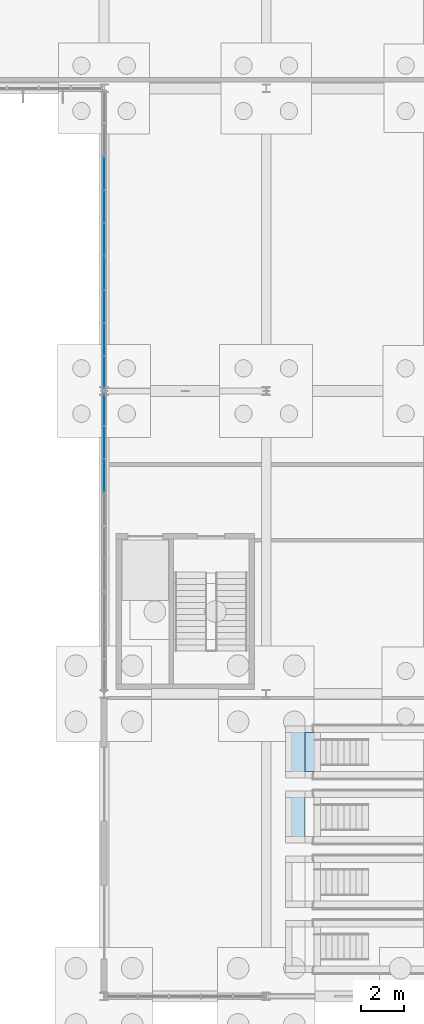
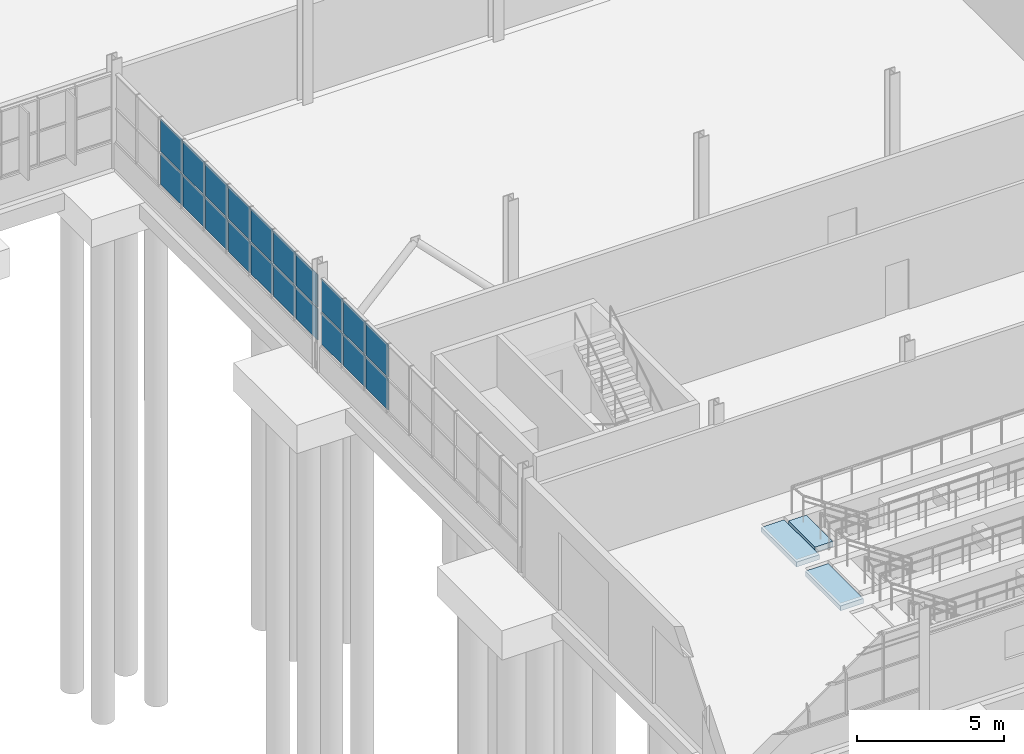
# One storey, part 85 of 136: 20 plates, 3 slabs, 2 elements without a shape of their own.
"""IFC4 building model written with IfcOpenShell, lengths in metres."""

import ifcopenshell
import ifcopenshell.guid

model = None  # the IFC model being written
_history = None  # IfcOwnerHistory: only IFC2X3 demands one
_inside = {}  # id of a spatial element -> (the spatial element, [elements in it])
_under = {}  # id of a project, library or spatial element -> (it, [spatial elements below it])
_declared = {}  # id of a project -> (the project, [libraries it declares])
_typed = {}  # id of a type object -> (the type object, [elements of that type])
_made_of = {}  # id of a material, layer set ... -> (it, [elements and type objects made of it])


def new_model(schema):
    """Start an empty IFC model of exactly this schema.

    Asked for "IFC4X3", IfcOpenShell would pick the latest addendum, in which some entities
    have other attributes; the version numbers below select the first issue.
    IFC2X3 requires an IfcOwnerHistory on every rooted entity: one is made here for all.
    """
    global model, _history
    if schema == "IFC4X3":
        model = ifcopenshell.file(schema_version=(4, 3, 0, 0))
    else:
        model = ifcopenshell.file(schema=schema)
    _inside.clear()
    _under.clear()
    _declared.clear()
    _typed.clear()
    _made_of.clear()
    _history = None
    if model.schema == "IFC2X3":
        org = make("IfcOrganization", Name="unknown")
        user = make(
            "IfcPersonAndOrganization",
            ThePerson=make("IfcPerson", FamilyName="unknown"),
            TheOrganization=org,
        )
        app = make(
            "IfcApplication",
            ApplicationDeveloper=org,
            Version="unknown",
            ApplicationFullName="unknown",
            ApplicationIdentifier="unknown",
        )
        _history = make(
            "IfcOwnerHistory",
            OwningUser=user,
            OwningApplication=app,
            ChangeAction="ADDED",
            CreationDate=0,
        )
    return model


def make(cls, **values):
    """One entity of the class cls with the attributes given. An attribute that is None is left unset."""
    return model.create_entity(
        cls, **{name: value for name, value in values.items() if value is not None}
    )


def rooted(cls, **values):
    """An entity with a GlobalId (a new one), such as an element, a storey or a relation."""
    return make(cls, GlobalId=ifcopenshell.guid.new(), OwnerHistory=_history, **values)


def si_unit(unit_type, name, prefix=None):
    """IfcSIUnit, for example si_unit("LENGTHUNIT", "METRE", prefix="MILLI")."""
    return make("IfcSIUnit", UnitType=unit_type, Prefix=prefix, Name=name)


def assignment(units):
    """IfcUnitAssignment: the units of a project."""
    return None if units is None else make("IfcUnitAssignment", Units=units)


def point(xyz):
    """IfcCartesianPoint."""
    return None if xyz is None else make("IfcCartesianPoint", Coordinates=xyz)


def direction(xyz):
    """IfcDirection."""
    return None if xyz is None else make("IfcDirection", DirectionRatios=xyz)


def frame(location, z_axis=None, x_axis=None):
    """IfcAxis2Placement3D, a coordinate frame: its origin and axes. An axis left out is left unset."""
    return make(
        "IfcAxis2Placement3D",
        Location=point(location),
        Axis=direction(z_axis),
        RefDirection=direction(x_axis),
    )


def frame_2d(location, x_axis=None):
    """IfcAxis2Placement2D, a coordinate frame in the plane: its origin and x axis."""
    return make(
        "IfcAxis2Placement2D", Location=point(location), RefDirection=direction(x_axis)
    )


def origin():
    """The frame at (0, 0, 0) with its axes left unset."""
    return frame((0.0, 0.0, 0.0))


def origin_2d():
    """The frame at (0, 0) in the plane with its x axis left unset."""
    return frame_2d((0.0, 0.0))


def place(relative_to, where):
    """IfcLocalPlacement: puts the frame where relative to a parent placement (None: the world)."""
    return make(
        "IfcLocalPlacement", PlacementRelTo=relative_to, RelativePlacement=where
    )


def context(
    kind, dimensions, precision=None, world=None, true_north=None, identifier=None
):
    """IfcGeometricRepresentationContext, for example the 3D "Model" context."""
    return make(
        "IfcGeometricRepresentationContext",
        ContextIdentifier=identifier,
        ContextType=kind,
        CoordinateSpaceDimension=dimensions,
        Precision=precision,
        WorldCoordinateSystem=world,
        TrueNorth=true_north,
    )


def subcontext(parent, identifier, kind, view, scale=None):
    """IfcGeometricRepresentationSubContext, for example "Body" below "Model"."""
    return make(
        "IfcGeometricRepresentationSubContext",
        ContextIdentifier=identifier,
        ContextType=kind,
        ParentContext=parent,
        TargetScale=scale,
        TargetView=view,
    )


def project(units=None, contexts=None):
    """IfcProject with its units and contexts."""
    return rooted(
        "IfcProject",
        Name="project",
        RepresentationContexts=contexts,
        UnitsInContext=assignment(units),
    )


def spatial(cls, under=None, at=None, **own):
    """A site, building, storey or space (cls), placed at a placement, below another one or the project."""
    s = rooted(cls, ObjectPlacement=at, **own)
    if under is not None:
        _under.setdefault(under.id(), (under, []))[1].append(s)
    return s


def polyline(points):
    """IfcPolyline through the points."""
    return make("IfcPolyline", Points=[point(p) for p in points])


def profile(cls, at=None, kind="AREA", **sizes):
    """A parametric profile (cls). Its sizes go by their IFC names, for example OverallWidth=200.0."""
    return make(cls, ProfileType=kind, Position=at, **sizes)


def rectangle(**sizes):
    """IfcRectangleProfileDef."""
    return profile("IfcRectangleProfileDef", **sizes)


def outline(outer, holes=None, kind="AREA"):
    """IfcArbitraryClosedProfileDef: a profile drawn as a closed curve; with holes, ...WithVoids."""
    if holes is None:
        return make("IfcArbitraryClosedProfileDef", ProfileType=kind, OuterCurve=outer)
    return make(
        "IfcArbitraryProfileDefWithVoids",
        ProfileType=kind,
        OuterCurve=outer,
        InnerCurves=holes,
    )


def extrude(swept, where, along, depth):
    """IfcExtrudedAreaSolid: the profile swept, set in the frame where, extruded along a direction by depth."""
    return make(
        "IfcExtrudedAreaSolid",
        SweptArea=swept,
        Position=where,
        ExtrudedDirection=direction(along),
        Depth=depth,
    )


def shape(context_of_items, identifier, shape_type, items):
    """IfcShapeRepresentation: the items that make up one representation, for example the "Body"."""
    return make(
        "IfcShapeRepresentation",
        ContextOfItems=context_of_items,
        RepresentationIdentifier=identifier,
        RepresentationType=shape_type,
        Items=items,
    )


def material(Name=None, Category=None):
    """IfcMaterial."""
    return make("IfcMaterial", Name=Name, Category=Category)


def layer(
    of_material, thickness, ventilated=None, Name=None, Category=None, Priority=None
):
    """IfcMaterialLayer: one layer of a wall or slab, of a material (None: an air gap)."""
    return make(
        "IfcMaterialLayer",
        Material=of_material,
        LayerThickness=thickness,
        IsVentilated=ventilated,
        Name=Name,
        Category=Category,
        Priority=Priority,
    )


def layer_set(layers, Name=None):
    """IfcMaterialLayerSet."""
    return make("IfcMaterialLayerSet", MaterialLayers=layers, LayerSetName=Name)


def made_of(thing, what):
    """Note that an element or type object is made of a material, layer set ...; save() writes the relation."""
    if what is not None:
        _made_of.setdefault(what.id(), (what, []))[1].append(thing)
    return thing


def type_object(cls, material=None, **own):
    """A type object (cls), such as IfcWallType, which elements share."""
    return made_of(rooted(cls, **own), material)


def element(
    cls,
    number,
    at=None,
    inside=None,
    cuts=None,
    type_object=None,
    material=None,
    context=None,
    identifier="Body",
    shape_type=None,
    held_by="IfcProductDefinitionShape",
    body=None,
    shapes=None,
    **own,
):
    """One element of the class cls, such as IfcWall. Its Tag is "e" and its number.

    at: its placement. inside: the storey or other place that contains it. cuts: it is an
    opening in that element (IfcRelVoidsElement). A single representation is given by context,
    identifier, shape_type and body (its items); several are given by shapes. held_by: the class
    of the entity that holds the representations. save() writes the other relations.
    """
    e = rooted(cls, Tag="e%d" % number, ObjectPlacement=at, **own)
    if body is not None:
        shapes = [shape(context, identifier, shape_type, body)]
    if shapes is not None:
        e.Representation = make(held_by, Representations=shapes)
    if inside is not None:
        _inside.setdefault(inside.id(), (inside, []))[1].append(e)
    if cuts is not None:
        rooted(
            "IfcRelVoidsElement", RelatingBuildingElement=cuts, RelatedOpeningElement=e
        )
    if type_object is not None:
        _typed.setdefault(type_object.id(), (type_object, []))[1].append(e)
    return made_of(e, material)


def aggregate(whole, parts):
    """IfcRelAggregates: a whole, such as a stair, and the parts it consists of."""
    return rooted("IfcRelAggregates", RelatingObject=whole, RelatedObjects=parts)


def save(model, path):
    """Write the relations noted so far, then the file.

    IfcRelAggregates (storeys below a building ...), IfcRelContainedInSpatialStructure (elements
    in a storey), IfcRelDefinesByType, IfcRelAssociatesMaterial and IfcRelDeclares: one each for
    every whole, place, type object, material and project.
    """
    for whole, parts in _under.values():
        aggregate(whole, parts)
    for where, things in _inside.values():
        rooted(
            "IfcRelContainedInSpatialStructure",
            RelatedElements=things,
            RelatingStructure=where,
        )
    for kind, things in _typed.values():
        rooted("IfcRelDefinesByType", RelatedObjects=things, RelatingType=kind)
    for what, things in _made_of.values():
        rooted("IfcRelAssociatesMaterial", RelatedObjects=things, RelatingMaterial=what)
    for by, libraries in _declared.values():
        rooted("IfcRelDeclares", RelatingContext=by, RelatedDefinitions=libraries)
    model.write(path)


model = new_model("IFC4")

# Units and contexts
model_context = context("Model", 3, precision=1e-05, world=origin(), true_north=direction((0.0, 1.0)))
body_context = subcontext(model_context, "Body", "Model", "MODEL_VIEW")
ifc_project = project(units=[si_unit("LENGTHUNIT", "METRE"), si_unit("AREAUNIT", "SQUARE_METRE"), si_unit("VOLUMEUNIT", "CUBIC_METRE"), si_unit("PLANEANGLEUNIT", "RADIAN"), si_unit("MASSUNIT", "GRAM", prefix="KILO")], contexts=[model_context])

# Site, building, storey
site_placement = place(None, origin())
site = spatial("IfcSite", under=ifc_project, at=site_placement, CompositionType="ELEMENT")
building_placement = place(site_placement, origin())
building = spatial("IfcBuilding", under=site, at=building_placement, Name="Solvenia Promenade Tram Depot", CompositionType="ELEMENT")
storey_placement = place(building_placement, origin())
storey = spatial("IfcBuildingStorey", under=building, at=storey_placement, Name="L00", CompositionType="ELEMENT", Elevation=0.0)

# Curtain wall, plates
ifc_material_1 = material(Name="Anodized aluminium AW-6063 T6", Category="aluminium")
ifc_layer_1 = layer(ifc_material_1, 0.14990234375, Name="Anodized aluminium AW-6063 T6", Category="aluminium")
ifc_layer_set_1 = layer_set([ifc_layer_1], Name="Anodized aluminium AW-6063 T6")
curtain_wall_type = type_object("IfcCurtainWallType", Name="CW-Court-1500", PredefinedType="NOTDEFINED", material=ifc_layer_set_1)
curtain_wall_1_placement = place(storey_placement, origin())
curtain_wall_1 = element("IfcCurtainWall", 1, at=curtain_wall_1_placement, inside=storey, type_object=curtain_wall_type, Name="Curtain Wall CW-V2W-L0-1", PredefinedType="NOTDEFINED")
ifc_material_2 = material(Name="Double low-e argon insulated glass", Category="glass")
ifc_layer_2 = layer(ifc_material_2, 0.031982421875, Name="Double low-e argon insulated glass", Category="glass")
ifc_layer_set_2 = layer_set([ifc_layer_2], Name="Double low-e argon insulated glass")
plate_type = type_object("IfcPlateType", Name="CWP-Panel-2", PredefinedType="CURTAIN_PANEL", material=ifc_layer_set_2)
plate_1_placement = place(storey_placement, frame((105.0, 48.075439453125, 1.115234375), z_axis=(0.0, 0.0, 1.0), x_axis=(0.0, 1.0, 0.0)))
plate_1 = element("IfcPlate", 2, at=plate_1_placement, type_object=plate_type, Name="CW-5 panel 7.1", PredefinedType="CURTAIN_PANEL", context=body_context, shape_type="SweptSolid", body=[
    extrude(rectangle(XDim=1.48779296875, YDim=0.031982421875, at=origin_2d()), origin(), (0.0, 0.0, 1.0), 1.302490234375),
])
plate_2_placement = place(storey_placement, frame((105.0, 48.075439453125, 2.482421875), z_axis=(0.0, 0.0, 1.0), x_axis=(0.0, 1.0, 0.0)))
plate_2 = element("IfcPlate", 3, at=plate_2_placement, type_object=plate_type, Name="CW-5 panel 7.2", PredefinedType="CURTAIN_PANEL", context=body_context, shape_type="SweptSolid", body=[
    extrude(rectangle(XDim=1.48779296875, YDim=0.031982421875, at=origin_2d()), origin(), (0.0, 0.0, 1.0), 1.3525390625),
])
plate_3_placement = place(storey_placement, frame((105.0, 49.61328125, 1.115234375), z_axis=(0.0, 0.0, 1.0), x_axis=(0.0, 1.0, 0.0)))
plate_3 = element("IfcPlate", 4, at=plate_3_placement, type_object=plate_type, Name="CW-5 panel 8.1", PredefinedType="CURTAIN_PANEL", context=body_context, shape_type="SweptSolid", body=[
    extrude(rectangle(XDim=1.48779296875, YDim=0.031982421875, at=origin_2d()), origin(), (0.0, 0.0, 1.0), 1.302490234375),
])
plate_4_placement = place(storey_placement, frame((105.0, 49.61328125, 2.482421875), z_axis=(0.0, 0.0, 1.0), x_axis=(0.0, 1.0, 0.0)))
plate_4 = element("IfcPlate", 5, at=plate_4_placement, type_object=plate_type, Name="CW-5 panel 8.2", PredefinedType="CURTAIN_PANEL", context=body_context, shape_type="SweptSolid", body=[
    extrude(rectangle(XDim=1.48779296875, YDim=0.031982421875, at=origin_2d()), origin(), (0.0, 0.0, 1.0), 1.3525390625),
])
plate_5_placement = place(storey_placement, frame((105.0, 51.138671875, 1.115234375), z_axis=(0.0, 0.0, 1.0), x_axis=(0.0, 1.0, 0.0)))
plate_5 = element("IfcPlate", 6, at=plate_5_placement, type_object=plate_type, Name="CW-5 panel 9.1", PredefinedType="CURTAIN_PANEL", context=body_context, shape_type="SweptSolid", body=[
    extrude(rectangle(XDim=1.462890625, YDim=0.031982421875, at=origin_2d()), origin(), (0.0, 0.0, 1.0), 1.302490234375),
])
plate_6_placement = place(storey_placement, frame((105.0, 51.138671875, 2.482421875), z_axis=(0.0, 0.0, 1.0), x_axis=(0.0, 1.0, 0.0)))
plate_6 = element("IfcPlate", 7, at=plate_6_placement, type_object=plate_type, Name="CW-5 panel 9.2", PredefinedType="CURTAIN_PANEL", context=body_context, shape_type="SweptSolid", body=[
    extrude(rectangle(XDim=1.462890625, YDim=0.031982421875, at=origin_2d()), origin(), (0.0, 0.0, 1.0), 1.3525390625),
])
aggregate(curtain_wall_1, [plate_1, plate_2, plate_3, plate_4, plate_5, plate_6])

curtain_wall_2_placement = place(storey_placement, origin())
curtain_wall_2 = element("IfcCurtainWall", 8, at=curtain_wall_2_placement, inside=storey, type_object=curtain_wall_type, Name="Curtain Wall CW-V2W-L0-2", PredefinedType="NOTDEFINED")
plate_7_placement = place(storey_placement, frame((105.0, 52.861328125, 1.115234375), z_axis=(0.0, 0.0, 1.0), x_axis=(0.0, 1.0, 0.0)))
plate_7 = element("IfcPlate", 9, at=plate_7_placement, type_object=plate_type, Name="CW-5 panel 1.1", PredefinedType="CURTAIN_PANEL", context=body_context, shape_type="SweptSolid", body=[
    extrude(rectangle(XDim=1.462890625, YDim=0.031982421875, at=origin_2d()), origin(), (0.0, 0.0, 1.0), 1.302490234375),
])
plate_8_placement = place(storey_placement, frame((105.0, 52.861328125, 2.482421875), z_axis=(0.0, 0.0, 1.0), x_axis=(0.0, 1.0, 0.0)))
plate_8 = element("IfcPlate", 10, at=plate_8_placement, type_object=plate_type, Name="CW-5 panel 1.2", PredefinedType="CURTAIN_PANEL", context=body_context, shape_type="SweptSolid", body=[
    extrude(rectangle(XDim=1.462890625, YDim=0.031982421875, at=origin_2d()), origin(), (0.0, 0.0, 1.0), 1.3525390625),
])
plate_9_placement = place(storey_placement, frame((105.0, 54.38671875, 1.115234375), z_axis=(0.0, 0.0, 1.0), x_axis=(0.0, 1.0, 0.0)))
plate_9 = element("IfcPlate", 11, at=plate_9_placement, type_object=plate_type, Name="CW-5 panel 2.1", PredefinedType="CURTAIN_PANEL", context=body_context, shape_type="SweptSolid", body=[
    extrude(rectangle(XDim=1.48779296875, YDim=0.031982421875, at=origin_2d()), origin(), (0.0, 0.0, 1.0), 1.302490234375),
])
plate_10_placement = place(storey_placement, frame((105.0, 54.38671875, 2.482421875), z_axis=(0.0, 0.0, 1.0), x_axis=(0.0, 1.0, 0.0)))
plate_10 = element("IfcPlate", 12, at=plate_10_placement, type_object=plate_type, Name="CW-5 panel 2.2", PredefinedType="CURTAIN_PANEL", context=body_context, shape_type="SweptSolid", body=[
    extrude(rectangle(XDim=1.48779296875, YDim=0.031982421875, at=origin_2d()), origin(), (0.0, 0.0, 1.0), 1.3525390625),
])
plate_11_placement = place(storey_placement, frame((105.0, 55.924560546875, 1.115234375), z_axis=(0.0, 0.0, 1.0), x_axis=(0.0, 1.0, 0.0)))
plate_11 = element("IfcPlate", 13, at=plate_11_placement, type_object=plate_type, Name="CW-5 panel 3.1", PredefinedType="CURTAIN_PANEL", context=body_context, shape_type="SweptSolid", body=[
    extrude(rectangle(XDim=1.48779296875, YDim=0.031982421875, at=origin_2d()), origin(), (0.0, 0.0, 1.0), 1.302490234375),
])
plate_12_placement = place(storey_placement, frame((105.0, 55.924560546875, 2.482421875), z_axis=(0.0, 0.0, 1.0), x_axis=(0.0, 1.0, 0.0)))
plate_12 = element("IfcPlate", 14, at=plate_12_placement, type_object=plate_type, Name="CW-5 panel 3.2", PredefinedType="CURTAIN_PANEL", context=body_context, shape_type="SweptSolid", body=[
    extrude(rectangle(XDim=1.48779296875, YDim=0.031982421875, at=origin_2d()), origin(), (0.0, 0.0, 1.0), 1.3525390625),
])
plate_13_placement = place(storey_placement, frame((105.0, 57.462158203125, 1.115234375), z_axis=(0.0, 0.0, 1.0), x_axis=(0.0, 1.0, 0.0)))
plate_13 = element("IfcPlate", 15, at=plate_13_placement, type_object=plate_type, Name="CW-5 panel 4.1", PredefinedType="CURTAIN_PANEL", context=body_context, shape_type="SweptSolid", body=[
    extrude(rectangle(XDim=1.48779296875, YDim=0.031982421875, at=origin_2d()), origin(), (0.0, 0.0, 1.0), 1.302490234375),
])
plate_14_placement = place(storey_placement, frame((105.0, 57.462158203125, 2.482421875), z_axis=(0.0, 0.0, 1.0), x_axis=(0.0, 1.0, 0.0)))
plate_14 = element("IfcPlate", 16, at=plate_14_placement, type_object=plate_type, Name="CW-5 panel 4.2", PredefinedType="CURTAIN_PANEL", context=body_context, shape_type="SweptSolid", body=[
    extrude(rectangle(XDim=1.48779296875, YDim=0.031982421875, at=origin_2d()), origin(), (0.0, 0.0, 1.0), 1.3525390625),
])
plate_15_placement = place(storey_placement, frame((105.0, 59.0, 1.115234375), z_axis=(0.0, 0.0, 1.0), x_axis=(0.0, 1.0, 0.0)))
plate_15 = element("IfcPlate", 17, at=plate_15_placement, type_object=plate_type, Name="CW-5 panel 5.1", PredefinedType="CURTAIN_PANEL", context=body_context, shape_type="SweptSolid", body=[
    extrude(rectangle(XDim=1.48779296875, YDim=0.031982421875, at=origin_2d()), origin(), (0.0, 0.0, 1.0), 1.302490234375),
])
plate_16_placement = place(storey_placement, frame((105.0, 59.0, 2.482421875), z_axis=(0.0, 0.0, 1.0), x_axis=(0.0, 1.0, 0.0)))
plate_16 = element("IfcPlate", 18, at=plate_16_placement, type_object=plate_type, Name="CW-5 panel 5.2", PredefinedType="CURTAIN_PANEL", context=body_context, shape_type="SweptSolid", body=[
    extrude(rectangle(XDim=1.48779296875, YDim=0.031982421875, at=origin_2d()), origin(), (0.0, 0.0, 1.0), 1.3525390625),
])
plate_17_placement = place(storey_placement, frame((105.0, 60.537841796875, 1.115234375), z_axis=(0.0, 0.0, 1.0), x_axis=(0.0, 1.0, 0.0)))
plate_17 = element("IfcPlate", 19, at=plate_17_placement, type_object=plate_type, Name="CW-5 panel 6.1", PredefinedType="CURTAIN_PANEL", context=body_context, shape_type="SweptSolid", body=[
    extrude(rectangle(XDim=1.48779296875, YDim=0.031982421875, at=origin_2d()), origin(), (0.0, 0.0, 1.0), 1.302490234375),
])
plate_18_placement = place(storey_placement, frame((105.0, 60.537841796875, 2.482421875), z_axis=(0.0, 0.0, 1.0), x_axis=(0.0, 1.0, 0.0)))
plate_18 = element("IfcPlate", 20, at=plate_18_placement, type_object=plate_type, Name="CW-5 panel 6.2", PredefinedType="CURTAIN_PANEL", context=body_context, shape_type="SweptSolid", body=[
    extrude(rectangle(XDim=1.48779296875, YDim=0.031982421875, at=origin_2d()), origin(), (0.0, 0.0, 1.0), 1.3525390625),
])
plate_19_placement = place(storey_placement, frame((105.0, 62.075439453125, 1.115234375), z_axis=(0.0, 0.0, 1.0), x_axis=(0.0, 1.0, 0.0)))
plate_19 = element("IfcPlate", 21, at=plate_19_placement, type_object=plate_type, Name="CW-5 panel 7.1", PredefinedType="CURTAIN_PANEL", context=body_context, shape_type="SweptSolid", body=[
    extrude(rectangle(XDim=1.48779296875, YDim=0.031982421875, at=origin_2d()), origin(), (0.0, 0.0, 1.0), 1.302490234375),
])
plate_20_placement = place(storey_placement, frame((105.0, 62.075439453125, 2.482421875), z_axis=(0.0, 0.0, 1.0), x_axis=(0.0, 1.0, 0.0)))
plate_20 = element("IfcPlate", 22, at=plate_20_placement, type_object=plate_type, Name="CW-5 panel 7.2", PredefinedType="CURTAIN_PANEL", context=body_context, shape_type="SweptSolid", body=[
    extrude(rectangle(XDim=1.48779296875, YDim=0.031982421875, at=origin_2d()), origin(), (0.0, 0.0, 1.0), 1.3525390625),
])
aggregate(curtain_wall_2, [plate_7, plate_8, plate_9, plate_10, plate_11, plate_12, plate_13, plate_14, plate_15, plate_16, plate_17, plate_18, plate_19, plate_20])

# Slabs
ifc_material_3 = material(Name="Concrete C28/35", Category="concrete")
ifc_layer_3 = layer(ifc_material_3, 0.199951171875, Name="Concrete C28/35", Category="concrete")
ifc_layer_set_3 = layer_set([ifc_layer_3], Name="Concrete C28/35")
slab_type_1 = type_object("IfcSlabType", Name="Slab-Drain-200", PredefinedType="FLOOR", material=ifc_layer_set_3)
slab_1_placement = place(storey_placement, frame((0.0, 0.0, -0.330078125)))
element("IfcSlab", 23, at=slab_1_placement, inside=storey, type_object=slab_type_1, Name="Inspection Pit Bay 3 Recessed Trench Cover Slab", PredefinedType="FLOOR", context=body_context, shape_type="SweptSolid", body=[
    extrude(outline(polyline([(113.39990234375, 31.10009765625), (114.300048828125, 31.10009765625), (114.300048828125, 33.5), (113.39990234375, 33.5), (113.39990234375, 31.10009765625)])), origin(), (0.0, 0.0, 1.0), 0.2001953125),
])
slab_2_placement = place(storey_placement, frame((0.0, 0.0, -0.330078125)))
element("IfcSlab", 24, at=slab_2_placement, inside=storey, type_object=slab_type_1, Name="Inspection Pit Bay 4 Recessed Trench Cover Slab", PredefinedType="FLOOR", context=body_context, shape_type="SweptSolid", body=[
    extrude(outline(polyline([(113.39990234375, 34.10009765625), (114.300048828125, 34.10009765625), (114.300048828125, 36.5), (113.39990234375, 36.5), (113.39990234375, 34.10009765625)])), origin(), (0.0, 0.0, 1.0), 0.2001953125),
])
ifc_layer_4 = layer(ifc_material_3, 0.219970703125, Name="Concrete C28/35", Category="concrete")
ifc_layer_set_4 = layer_set([ifc_layer_4], Name="Concrete C28/35")
slab_type_2 = type_object("IfcSlabType", Name="Slab-Floor-220", PredefinedType="FLOOR", material=ifc_layer_set_4)
slab_3_placement = place(storey_placement, frame((0.0, 0.0, -0.219970703125)))
element("IfcSlab", 25, at=slab_3_placement, inside=storey, type_object=slab_type_2, Name="Inspection Pit Bay 4 West Stair Arrival Apron", PredefinedType="FLOOR", context=body_context, shape_type="SweptSolid", body=[
    extrude(outline(polyline([(114.300048828125, 34.39990234375), (115.0, 34.39990234375), (115.0, 36.199951171875), (114.300048828125, 36.199951171875), (114.300048828125, 34.39990234375)])), origin(), (0.0, 0.0, 1.0), 0.219970703125),
])

save(model, "model.ifc")
